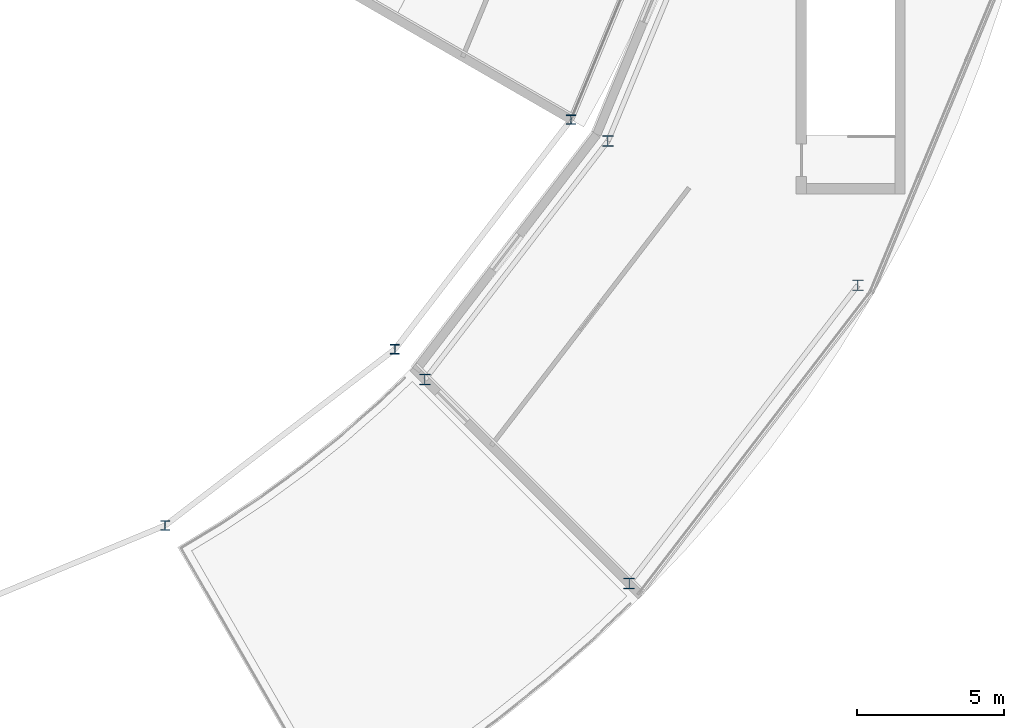
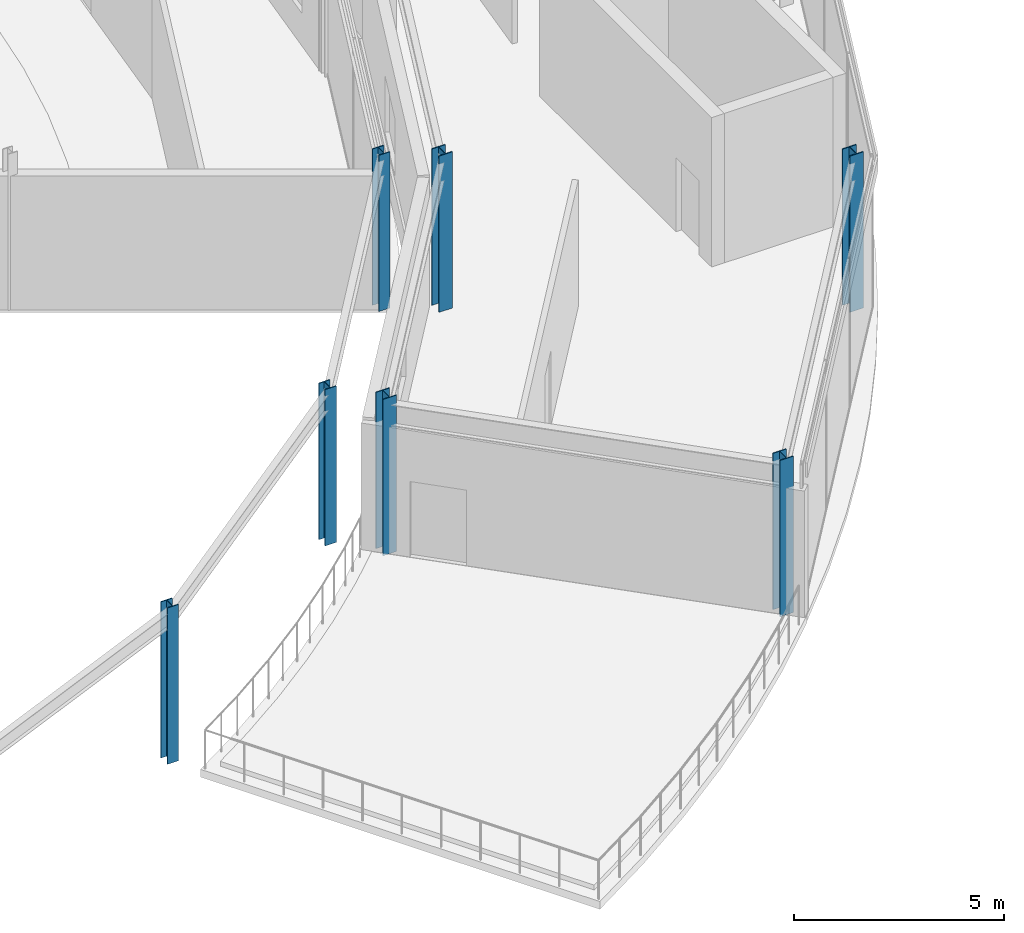
# One storey, part 7 of 157: 7 columns.
"""IFC4 building model written with IfcOpenShell, lengths in metres."""

import ifcopenshell
import ifcopenshell.guid

model = None  # the IFC model being written
_history = None  # IfcOwnerHistory: only IFC2X3 demands one
_inside = {}  # id of a spatial element -> (the spatial element, [elements in it])
_under = {}  # id of a project, library or spatial element -> (it, [spatial elements below it])
_declared = {}  # id of a project -> (the project, [libraries it declares])
_typed = {}  # id of a type object -> (the type object, [elements of that type])
_made_of = {}  # id of a material, layer set ... -> (it, [elements and type objects made of it])


def new_model(schema):
    """Start an empty IFC model of exactly this schema.

    Asked for "IFC4X3", IfcOpenShell would pick the latest addendum, in which some entities
    have other attributes; the version numbers below select the first issue.
    IFC2X3 requires an IfcOwnerHistory on every rooted entity: one is made here for all.
    """
    global model, _history
    if schema == "IFC4X3":
        model = ifcopenshell.file(schema_version=(4, 3, 0, 0))
    else:
        model = ifcopenshell.file(schema=schema)
    _inside.clear()
    _under.clear()
    _declared.clear()
    _typed.clear()
    _made_of.clear()
    _history = None
    if model.schema == "IFC2X3":
        org = make("IfcOrganization", Name="unknown")
        user = make(
            "IfcPersonAndOrganization",
            ThePerson=make("IfcPerson", FamilyName="unknown"),
            TheOrganization=org,
        )
        app = make(
            "IfcApplication",
            ApplicationDeveloper=org,
            Version="unknown",
            ApplicationFullName="unknown",
            ApplicationIdentifier="unknown",
        )
        _history = make(
            "IfcOwnerHistory",
            OwningUser=user,
            OwningApplication=app,
            ChangeAction="ADDED",
            CreationDate=0,
        )
    return model


def make(cls, **values):
    """One entity of the class cls with the attributes given. An attribute that is None is left unset."""
    return model.create_entity(
        cls, **{name: value for name, value in values.items() if value is not None}
    )


def rooted(cls, **values):
    """An entity with a GlobalId (a new one), such as an element, a storey or a relation."""
    return make(cls, GlobalId=ifcopenshell.guid.new(), OwnerHistory=_history, **values)


def si_unit(unit_type, name, prefix=None):
    """IfcSIUnit, for example si_unit("LENGTHUNIT", "METRE", prefix="MILLI")."""
    return make("IfcSIUnit", UnitType=unit_type, Prefix=prefix, Name=name)


def assignment(units):
    """IfcUnitAssignment: the units of a project."""
    return None if units is None else make("IfcUnitAssignment", Units=units)


def point(xyz):
    """IfcCartesianPoint."""
    return None if xyz is None else make("IfcCartesianPoint", Coordinates=xyz)


def direction(xyz):
    """IfcDirection."""
    return None if xyz is None else make("IfcDirection", DirectionRatios=xyz)


def frame(location, z_axis=None, x_axis=None):
    """IfcAxis2Placement3D, a coordinate frame: its origin and axes. An axis left out is left unset."""
    return make(
        "IfcAxis2Placement3D",
        Location=point(location),
        Axis=direction(z_axis),
        RefDirection=direction(x_axis),
    )


def frame_2d(location, x_axis=None):
    """IfcAxis2Placement2D, a coordinate frame in the plane: its origin and x axis."""
    return make(
        "IfcAxis2Placement2D", Location=point(location), RefDirection=direction(x_axis)
    )


def origin():
    """The frame at (0, 0, 0) with its axes left unset."""
    return frame((0.0, 0.0, 0.0))


def origin_2d():
    """The frame at (0, 0) in the plane with its x axis left unset."""
    return frame_2d((0.0, 0.0))


def place(relative_to, where):
    """IfcLocalPlacement: puts the frame where relative to a parent placement (None: the world)."""
    return make(
        "IfcLocalPlacement", PlacementRelTo=relative_to, RelativePlacement=where
    )


def context(
    kind, dimensions, precision=None, world=None, true_north=None, identifier=None
):
    """IfcGeometricRepresentationContext, for example the 3D "Model" context."""
    return make(
        "IfcGeometricRepresentationContext",
        ContextIdentifier=identifier,
        ContextType=kind,
        CoordinateSpaceDimension=dimensions,
        Precision=precision,
        WorldCoordinateSystem=world,
        TrueNorth=true_north,
    )


def subcontext(parent, identifier, kind, view, scale=None):
    """IfcGeometricRepresentationSubContext, for example "Body" below "Model"."""
    return make(
        "IfcGeometricRepresentationSubContext",
        ContextIdentifier=identifier,
        ContextType=kind,
        ParentContext=parent,
        TargetScale=scale,
        TargetView=view,
    )


def project(units=None, contexts=None):
    """IfcProject with its units and contexts."""
    return rooted(
        "IfcProject",
        Name="project",
        RepresentationContexts=contexts,
        UnitsInContext=assignment(units),
    )


def spatial(cls, under=None, at=None, **own):
    """A site, building, storey or space (cls), placed at a placement, below another one or the project."""
    s = rooted(cls, ObjectPlacement=at, **own)
    if under is not None:
        _under.setdefault(under.id(), (under, []))[1].append(s)
    return s


def profile(cls, at=None, kind="AREA", **sizes):
    """A parametric profile (cls). Its sizes go by their IFC names, for example OverallWidth=200.0."""
    return make(cls, ProfileType=kind, Position=at, **sizes)


def i_section(**sizes):
    """IfcIShapeProfileDef."""
    return profile("IfcIShapeProfileDef", **sizes)


def extrude(swept, where, along, depth):
    """IfcExtrudedAreaSolid: the profile swept, set in the frame where, extruded along a direction by depth."""
    return make(
        "IfcExtrudedAreaSolid",
        SweptArea=swept,
        Position=where,
        ExtrudedDirection=direction(along),
        Depth=depth,
    )


def shape(context_of_items, identifier, shape_type, items):
    """IfcShapeRepresentation: the items that make up one representation, for example the "Body"."""
    return make(
        "IfcShapeRepresentation",
        ContextOfItems=context_of_items,
        RepresentationIdentifier=identifier,
        RepresentationType=shape_type,
        Items=items,
    )


def material(Name=None, Category=None):
    """IfcMaterial."""
    return make("IfcMaterial", Name=Name, Category=Category)


def material_profile(
    of_material, cross_section, Name=None, Category=None, Priority=None
):
    """IfcMaterialProfile: a cross section and its material."""
    return make(
        "IfcMaterialProfile",
        Name=Name,
        Material=of_material,
        Profile=cross_section,
        Priority=Priority,
        Category=Category,
    )


def profile_set(profiles, Name=None, composite=None):
    """IfcMaterialProfileSet."""
    return make(
        "IfcMaterialProfileSet",
        Name=Name,
        MaterialProfiles=profiles,
        CompositeProfile=composite,
    )


def made_of(thing, what):
    """Note that an element or type object is made of a material, layer set ...; save() writes the relation."""
    if what is not None:
        _made_of.setdefault(what.id(), (what, []))[1].append(thing)
    return thing


def type_object(cls, material=None, **own):
    """A type object (cls), such as IfcWallType, which elements share."""
    return made_of(rooted(cls, **own), material)


def element(
    cls,
    number,
    at=None,
    inside=None,
    cuts=None,
    type_object=None,
    material=None,
    context=None,
    identifier="Body",
    shape_type=None,
    held_by="IfcProductDefinitionShape",
    body=None,
    shapes=None,
    **own,
):
    """One element of the class cls, such as IfcWall. Its Tag is "e" and its number.

    at: its placement. inside: the storey or other place that contains it. cuts: it is an
    opening in that element (IfcRelVoidsElement). A single representation is given by context,
    identifier, shape_type and body (its items); several are given by shapes. held_by: the class
    of the entity that holds the representations. save() writes the other relations.
    """
    e = rooted(cls, Tag="e%d" % number, ObjectPlacement=at, **own)
    if body is not None:
        shapes = [shape(context, identifier, shape_type, body)]
    if shapes is not None:
        e.Representation = make(held_by, Representations=shapes)
    if inside is not None:
        _inside.setdefault(inside.id(), (inside, []))[1].append(e)
    if cuts is not None:
        rooted(
            "IfcRelVoidsElement", RelatingBuildingElement=cuts, RelatedOpeningElement=e
        )
    if type_object is not None:
        _typed.setdefault(type_object.id(), (type_object, []))[1].append(e)
    return made_of(e, material)


def aggregate(whole, parts):
    """IfcRelAggregates: a whole, such as a stair, and the parts it consists of."""
    return rooted("IfcRelAggregates", RelatingObject=whole, RelatedObjects=parts)


def save(model, path):
    """Write the relations noted so far, then the file.

    IfcRelAggregates (storeys below a building ...), IfcRelContainedInSpatialStructure (elements
    in a storey), IfcRelDefinesByType, IfcRelAssociatesMaterial and IfcRelDeclares: one each for
    every whole, place, type object, material and project.
    """
    for whole, parts in _under.values():
        aggregate(whole, parts)
    for where, things in _inside.values():
        rooted(
            "IfcRelContainedInSpatialStructure",
            RelatedElements=things,
            RelatingStructure=where,
        )
    for kind, things in _typed.values():
        rooted("IfcRelDefinesByType", RelatedObjects=things, RelatingType=kind)
    for what, things in _made_of.values():
        rooted("IfcRelAssociatesMaterial", RelatedObjects=things, RelatingMaterial=what)
    for by, libraries in _declared.values():
        rooted("IfcRelDeclares", RelatingContext=by, RelatedDefinitions=libraries)
    model.write(path)


model = new_model("IFC4")

# Units and contexts
model_context = context("Model", 3, precision=1e-05, world=origin(), true_north=direction((0.0, 1.0)))
body_context = subcontext(model_context, "Body", "Model", "MODEL_VIEW")
ifc_project = project(units=[si_unit("LENGTHUNIT", "METRE"), si_unit("AREAUNIT", "SQUARE_METRE"), si_unit("VOLUMEUNIT", "CUBIC_METRE"), si_unit("PLANEANGLEUNIT", "RADIAN"), si_unit("MASSUNIT", "GRAM", prefix="KILO")], contexts=[model_context])

# Site, building, storey
site_placement = place(None, origin())
site = spatial("IfcSite", under=ifc_project, at=site_placement, CompositionType="ELEMENT")
building_placement = place(site_placement, origin())
building = spatial("IfcBuilding", under=site, at=building_placement, Name="Almandine Court Research Institute", CompositionType="ELEMENT")
storey_placement = place(building_placement, frame((0.0, 0.0, 5.25)))
storey = spatial("IfcBuildingStorey", under=building, at=storey_placement, Name="L01", CompositionType="ELEMENT", Elevation=5.25)

# Columns
ifc_material = material(Name="Steel ASTM A992 Grade 50", Category="steel")
ifc_material_profile_1 = material_profile(ifc_material, i_section(OverallWidth=0.373046875, OverallDepth=0.367919921875, WebThickness=0.01708984375, FlangeThickness=0.027099609375, at=origin_2d()), Name="W360x179")
ifc_profile_set_1 = profile_set([ifc_material_profile_1], Name="Steel ASTM A992 Grade 50")
column_type_1 = type_object("IfcColumnType", Name="Col-C-W03-E", PredefinedType="COLUMN", material=ifc_profile_set_1)
for number, where, z_axis, x_axis, name in (
    (1, (114.64794921875, 28.35205078125, 0.0), (0.0, 0.0, 1.0), (1.0, 0.0, 0.0), "L01 V5 Column V5-IN-S21"),
    (2, (121.577880859375, 21.422119140625, 0.0), (0.0, 0.0, 1.0), (1.0, 0.0, 0.0), "L01 V5 Column V5-OUT-S21"),
    (3, (120.862060546875, 36.449951171875, 0.0), (0.0, 0.0, 1.0), (1.0, 0.0, 0.0), "L01 V5 Column V5-IN-S22"),
    (4, (129.34912109375, 31.550048828125, 0.0), (0.0, 0.0, 1.0), (1.0, 0.0, 0.0), "L01 V5 Column V5-OUT-S22"),
):
    element("IfcColumn", number, at=place(storey_placement, frame(where, z_axis=z_axis, x_axis=x_axis)), inside=storey, type_object=column_type_1, Name=name, PredefinedType="COLUMN", context=body_context, shape_type="SweptSolid", body=[
        extrude(i_section(OverallWidth=0.373046875, OverallDepth=0.367919921875, WebThickness=0.01708984375, FlangeThickness=0.027099609375, at=origin_2d()), origin(), (0.0, 0.0, 1.0), 4.550048828125),
    ])
ifc_material_profile_2 = material_profile(ifc_material, i_section(OverallWidth=0.31005859375, OverallDepth=0.326904296875, WebThickness=0.01611328125, FlangeThickness=0.02490234375, at=origin_2d()), Name="W310x158")
ifc_profile_set_2 = profile_set([ifc_material_profile_2], Name="Steel ASTM A992 Grade 50")
column_type_2 = type_object("IfcColumnType", Name="Col-C-W06", PredefinedType="COLUMN", material=ifc_profile_set_2)
for number, where, z_axis, x_axis, name in (
    (5, (105.824951171875, 23.39404296875, 0.0), (0.0, 0.0, 1.0), (1.0, 0.0, 0.0), "L01 V2 Column V2-OUT-S20"),
    (6, (113.623046875, 29.376953125, 0.0), (0.0, 0.0, 1.0), (1.0, 0.0, 0.0), "L01 V2 Column V2-OUT-S21"),
    (7, (119.60595703125, 37.175048828125, 0.0), (0.0, 0.0, 1.0), (1.0, 0.0, 0.0), "L01 V2 Column V2-OUT-S22"),
):
    element("IfcColumn", number, at=place(storey_placement, frame(where, z_axis=z_axis, x_axis=x_axis)), inside=storey, type_object=column_type_2, Name=name, PredefinedType="COLUMN", context=body_context, shape_type="SweptSolid", body=[
        extrude(i_section(OverallWidth=0.31005859375, OverallDepth=0.326904296875, WebThickness=0.01611328125, FlangeThickness=0.02490234375, at=origin_2d()), origin(), (0.0, 0.0, 1.0), 4.550048828125),
    ])

save(model, "model.ifc")
